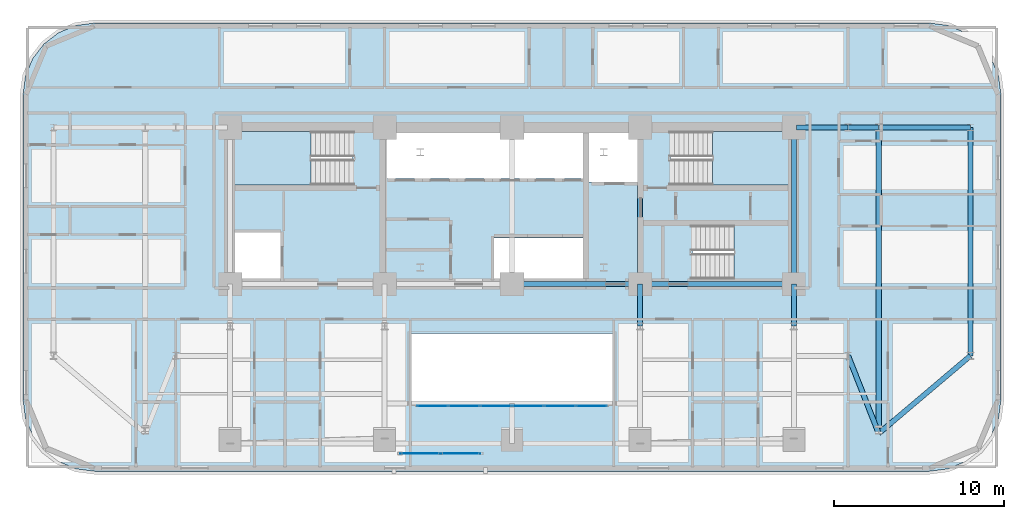
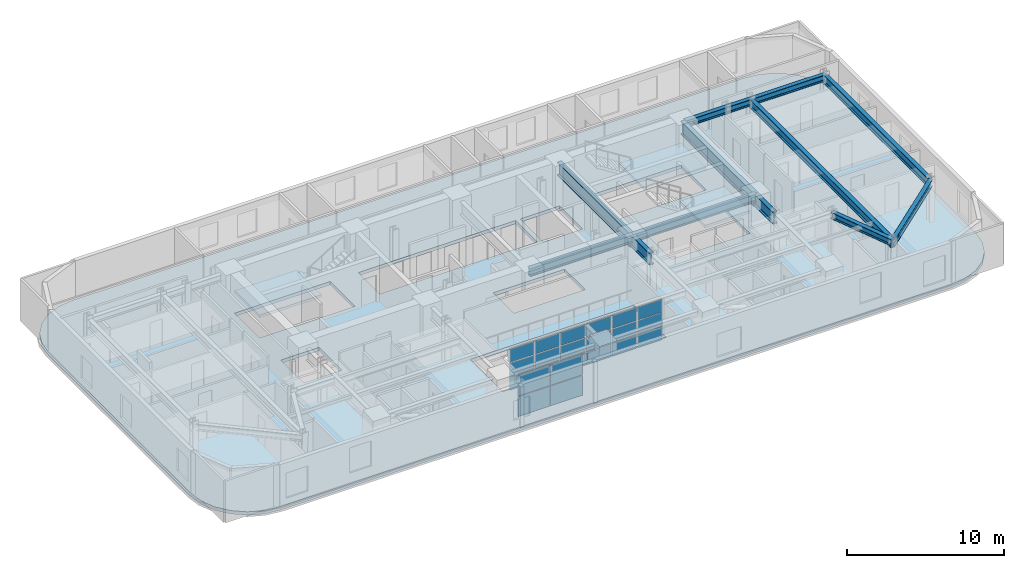
# One storey, part 6 of 16: 22 plates, 13 beams, 4 slabs, 5 elements without a shape of their own.
"""IFC4 building model written with IfcOpenShell, lengths in metres."""

from ifc_helpers import new_model, si_unit, direction, frame, origin, origin_2d, place, context, subcontext, project, spatial, polyline, rectangle, i_section, outline, extrude, material, layer, layer_set, material_profile, profile_set, type_object, element, aggregate, save


model = new_model("IFC4")

# Units and contexts
model_context = context("Model", 3, precision=1e-05, world=origin(), true_north=direction((0.0, 1.0)))
body_context = subcontext(model_context, "Body", "Model", "MODEL_VIEW")
ifc_project = project(units=[si_unit("LENGTHUNIT", "METRE"), si_unit("AREAUNIT", "SQUARE_METRE"), si_unit("VOLUMEUNIT", "CUBIC_METRE"), si_unit("PLANEANGLEUNIT", "RADIAN"), si_unit("MASSUNIT", "GRAM", prefix="KILO")], contexts=[model_context])

# Site, building, storey
site_placement = place(None, origin())
site = spatial("IfcSite", under=ifc_project, at=site_placement, CompositionType="ELEMENT")
building_placement = place(site_placement, origin())
building = spatial("IfcBuilding", under=site, at=building_placement, Name="Zarnavel Station Tower", CompositionType="ELEMENT")
storey_placement = place(building_placement, frame((0.0, 0.0, 82.800048828125)))
storey = spatial("IfcBuildingStorey", under=building, at=storey_placement, Name="L22", CompositionType="ELEMENT", Elevation=82.800048828125)

# Beams
ifc_material_1 = material(Name="Steel S355J2", Category="steel")
ifc_material_profile_1 = material_profile(ifc_material_1, i_section(OverallWidth=0.300048828125, OverallDepth=0.5, WebThickness=0.014404296875, FlangeThickness=0.028076171875, FilletRadius=0.027099609375, at=origin_2d()), Name="HEB500")
ifc_profile_set_1 = profile_set([ifc_material_profile_1], Name="Steel S355J2")
beam_type_1 = type_object("IfcBeamType", Name="FG_HEB500", PredefinedType="USERDEFINED", material=ifc_profile_set_1)
beam_1_placement = place(storey_placement, frame((45.544921875, 37.050048828125, 2.989990234375), z_axis=(1.0, 0.0, 0.0), x_axis=(0.0, 1.0, 0.0)))
element("IfcBeam", 1, at=beam_1_placement, inside=storey, type_object=beam_type_1, Name="L22 East Wing North Tie 1", ObjectType="GIRDER", PredefinedType="USERDEFINED", context=body_context, shape_type="SweptSolid", body=[
    extrude(i_section(OverallWidth=0.300048828125, OverallDepth=0.5, WebThickness=0.014404296875, FlangeThickness=0.028076171875, FilletRadius=0.027099609375, at=origin_2d()), origin(), (0.0, 0.0, 1.0), 3.05517578125),
])
beam_2_placement = place(storey_placement, frame((48.60009765625, 23.60009765625, 2.989990234375), z_axis=(0.366313346961, -0.930491553878, 0.0), x_axis=(0.930491553878, 0.366313346961, 0.0)))
element("IfcBeam", 2, at=beam_2_placement, inside=storey, type_object=beam_type_1, Name="L22 East Wing South Tie 2", ObjectType="GIRDER", PredefinedType="USERDEFINED", context=body_context, shape_type="SweptSolid", body=[
    extrude(i_section(OverallWidth=0.300048828125, OverallDepth=0.5, WebThickness=0.014404296875, FlangeThickness=0.028076171875, FilletRadius=0.027099609375, at=origin_2d()), origin(), (0.0, 0.0, 1.0), 4.913330078125),
])
beam_3_placement = place(storey_placement, frame((48.60009765625, 37.050048828125, 2.989990234375), z_axis=(1.0, 0.0, 0.0), x_axis=(0.0, 1.0, 0.0)))
element("IfcBeam", 3, at=beam_3_placement, inside=storey, type_object=beam_type_1, Name="L22 East Wing North Tie 2", ObjectType="GIRDER", PredefinedType="USERDEFINED", context=body_context, shape_type="SweptSolid", body=[
    extrude(i_section(OverallWidth=0.300048828125, OverallDepth=0.5, WebThickness=0.014404296875, FlangeThickness=0.028076171875, FilletRadius=0.027099609375, at=origin_2d()), origin(), (0.0, 0.0, 1.0), 1.7998046875),
])
beam_4_placement = place(storey_placement, frame((50.39990234375, 19.0283203125, 2.989990234375), z_axis=(0.763217422464, 0.646141753834, 0.0), x_axis=(-0.646141753834, 0.763217422464, 0.0)))
element("IfcBeam", 4, at=beam_4_placement, inside=storey, type_object=beam_type_1, Name="L22 East Wing South Tie 3", ObjectType="GIRDER", PredefinedType="USERDEFINED", context=body_context, shape_type="SweptSolid", body=[
    extrude(i_section(OverallWidth=0.300048828125, OverallDepth=0.5, WebThickness=0.014404296875, FlangeThickness=0.028076171875, FilletRadius=0.027099609375, at=origin_2d()), origin(), (0.0, 0.0, 1.0), 7.075439453125),
])
beam_5_placement = place(storey_placement, frame((50.39990234375, 37.050048828125, 2.989990234375), z_axis=(1.0, 0.0, 0.0), x_axis=(0.0, 1.0, 0.0)))
element("IfcBeam", 5, at=beam_5_placement, inside=storey, type_object=beam_type_1, Name="L22 East Wing North Tie 3", ObjectType="GIRDER", PredefinedType="USERDEFINED", context=body_context, shape_type="SweptSolid", body=[
    extrude(i_section(OverallWidth=0.300048828125, OverallDepth=0.5, WebThickness=0.014404296875, FlangeThickness=0.028076171875, FilletRadius=0.027099609375, at=origin_2d()), origin(), (0.0, 0.0, 1.0), 5.400146484375),
])
ifc_material_2 = material(Name="Steel S355J2", Category="steel")
ifc_material_profile_2 = material_profile(ifc_material_2, i_section(OverallWidth=0.300048828125, OverallDepth=0.60009765625, WebThickness=0.015380859375, FlangeThickness=0.030029296875, FilletRadius=0.027099609375, at=origin_2d()), Name="HEB600")
ifc_profile_set_2 = profile_set([ifc_material_profile_2], Name="Steel S355J2")
beam_type_2 = type_object("IfcBeamType", Name="FG_HEB600", PredefinedType="USERDEFINED", material=ifc_profile_set_2)
beam_6_placement = place(storey_placement, frame((28.800048828125, 27.820068359375, 2.93994140625), z_axis=(1.0, 0.0, 0.0), x_axis=(0.0, 1.0, 0.0)))
element("IfcBeam", 6, at=beam_6_placement, inside=storey, type_object=beam_type_2, Name="L22 Core Front Coupling Beam 3", ObjectType="GIRDER", PredefinedType="USERDEFINED", context=body_context, shape_type="SweptSolid", body=[
    extrude(i_section(OverallWidth=0.300048828125, OverallDepth=0.60009765625, WebThickness=0.015380859375, FlangeThickness=0.030029296875, FilletRadius=0.027099609375, at=origin_2d()), origin(), (0.0, 0.0, 1.0), 7.550048828125),
])
beam_7_placement = place(storey_placement, frame((36.35009765625, 27.820068359375, 2.93994140625), z_axis=(1.0, 0.0, 0.0), x_axis=(0.0, 1.0, 0.0)))
element("IfcBeam", 7, at=beam_7_placement, inside=storey, type_object=beam_type_2, Name="L22 Core Front Coupling Beam 4", ObjectType="GIRDER", PredefinedType="USERDEFINED", context=body_context, shape_type="SweptSolid", body=[
    extrude(i_section(OverallWidth=0.300048828125, OverallDepth=0.60009765625, WebThickness=0.015380859375, FlangeThickness=0.030029296875, FilletRadius=0.027099609375, at=origin_2d()), origin(), (0.0, 0.0, 1.0), 9.0498046875),
])
ifc_material_3 = material(Name="Steel S355J2", Category="steel")
ifc_material_profile_3 = material_profile(ifc_material_3, i_section(OverallWidth=0.300048828125, OverallDepth=0.64990234375, WebThickness=0.01611328125, FlangeThickness=0.031005859375, FilletRadius=0.027099609375, at=origin_2d()), Name="HEB650")
ifc_profile_set_3 = profile_set([ifc_material_profile_3], Name="Steel S355J2")
beam_type_3 = type_object("IfcBeamType", Name="FG_HEB650", PredefinedType="USERDEFINED", material=ifc_profile_set_3)
beam_8_placement = place(storey_placement, frame((50.39990234375, 19.0283203125, 2.9150390625), z_axis=(0.0, 1.0, 0.0), x_axis=(-1.0, 0.0, 0.0)))
element("IfcBeam", 8, at=beam_8_placement, inside=storey, type_object=beam_type_3, Name="L22 Wing NS Girder 3", ObjectType="GIRDER", PredefinedType="USERDEFINED", context=body_context, shape_type="SweptSolid", body=[
    extrude(i_section(OverallWidth=0.300048828125, OverallDepth=0.64990234375, WebThickness=0.01611328125, FlangeThickness=0.031005859375, FilletRadius=0.027099609375, at=origin_2d()), origin(), (0.0, 0.0, 1.0), 18.021728515625),
])
beam_9_placement = place(storey_placement, frame((55.800048828125, 23.60009765625, 2.9150390625), z_axis=(0.0, 1.0, 0.0), x_axis=(-1.0, 0.0, 0.0)))
element("IfcBeam", 9, at=beam_9_placement, inside=storey, type_object=beam_type_3, Name="L22 Wing NS Girder 4", ObjectType="GIRDER", PredefinedType="USERDEFINED", context=body_context, shape_type="SweptSolid", body=[
    extrude(i_section(OverallWidth=0.300048828125, OverallDepth=0.64990234375, WebThickness=0.01611328125, FlangeThickness=0.031005859375, FilletRadius=0.027099609375, at=origin_2d()), origin(), (0.0, 0.0, 1.0), 13.449951171875),
])
ifc_material_4 = material(Name="Steel S460M", Category="steel")
ifc_material_profile_4 = material_profile(ifc_material_4, i_section(OverallWidth=0.302001953125, OverallDepth=1.008056640625, WebThickness=0.02099609375, FlangeThickness=0.0400390625, FilletRadius=0.030029296875, at=origin_2d()), Name="HEM1000")
ifc_profile_set_4 = profile_set([ifc_material_profile_4], Name="Steel S460M")
beam_type_4 = type_object("IfcBeamType", Name="TG_HEM1000", PredefinedType="USERDEFINED", material=ifc_profile_set_4)
for number, where, z_axis, x_axis, name in (
    (10, (36.35009765625, 27.820068359375, 2.73583984375), (0.0, 1.0, 0.0), (-1.0, 0.0, 0.0), "L22 Core Spine Coupling Girder 4"),
    (11, (45.39990234375, 27.820068359375, 2.73583984375), (0.0, 1.0, 0.0), (-1.0, 0.0, 0.0), "L22 Core Spine Coupling Girder 5"),
):
    element("IfcBeam", number, at=place(storey_placement, frame(where, z_axis=z_axis, x_axis=x_axis)), inside=storey, type_object=beam_type_4, Name=name, ObjectType="GIRDER", PredefinedType="USERDEFINED", context=body_context, shape_type="SweptSolid", body=[
        extrude(i_section(OverallWidth=0.302001953125, OverallDepth=1.008056640625, WebThickness=0.02099609375, FlangeThickness=0.0400390625, FilletRadius=0.030029296875, at=origin_2d()), origin(), (0.0, 0.0, 1.0), 9.22998046875),
    ])
ifc_material_5 = material(Name="Steel S460M", Category="steel")
ifc_material_profile_5 = material_profile(ifc_material_5, i_section(OverallWidth=0.302001953125, OverallDepth=0.909912109375, WebThickness=0.02099609375, FlangeThickness=0.0400390625, FilletRadius=0.030029296875, at=origin_2d()), Name="HEM900")
ifc_profile_set_5 = profile_set([ifc_material_profile_5], Name="Steel S460M")
beam_type_5 = type_object("IfcBeamType", Name="TG_HEM900", PredefinedType="USERDEFINED", material=ifc_profile_set_5)
for number, where, z_axis, x_axis, name in (
    (12, (36.35009765625, 25.35009765625, 2.784912109375), (0.0, 1.0, 0.0), (-1.0, 0.0, 0.0), "L22 Inner-Zone NS Girder 4"),
    (13, (45.39990234375, 25.35009765625, 2.784912109375), (0.0, 1.0, 0.0), (-1.0, 0.0, 0.0), "L22 Inner-Zone NS Girder 5"),
):
    element("IfcBeam", number, at=place(storey_placement, frame(where, z_axis=z_axis, x_axis=x_axis)), inside=storey, type_object=beam_type_5, Name=name, ObjectType="GIRDER", PredefinedType="USERDEFINED", context=body_context, shape_type="SweptSolid", body=[
        extrude(i_section(OverallWidth=0.302001953125, OverallDepth=0.909912109375, WebThickness=0.02099609375, FlangeThickness=0.0400390625, FilletRadius=0.030029296875, at=origin_2d()), origin(), (0.0, 0.0, 1.0), 2.469970703125),
    ])

# Curtain wall, plates
ifc_material_6 = material(Name="Aluminium Dark Anodised and Solar-Control Glass", Category="aluminium")
ifc_layer_1 = layer(ifc_material_6, 0.179931640625)
ifc_layer_set_1 = layer_set([ifc_layer_1], Name="CWS3")
curtain_wall_type_1 = type_object("IfcCurtainWallType", Name="CWS3", PredefinedType="NOTDEFINED", material=ifc_layer_set_1)
curtain_wall_1_placement = place(storey_placement, origin())
curtain_wall_1 = element("IfcCurtainWall", 14, at=curtain_wall_1_placement, inside=storey, type_object=curtain_wall_type_1, Name="L22 Curtain Wall CWS3-L22-AS", PredefinedType="NOTDEFINED")
ifc_material_7 = material(Name="Double Low-E Dark Solar-Control Glass", Category="glass")
ifc_layer_2 = layer(ifc_material_7, 0.030029296875)
ifc_layer_set_2 = layer_set([ifc_layer_2], Name="CWS3_PNL")
plate_type_1 = type_object("IfcPlateType", Name="CWS3_PNL", PredefinedType="CURTAIN_PANEL", material=ifc_layer_set_2)
plate_1_placement = place(storey_placement, frame((24.106689453125, 20.64990234375, 0.06005859375), z_axis=(0.0, 0.0, 1.0), x_axis=(1.0, 0.0, 0.0)))
plate_1 = element("IfcPlate", 15, at=plate_1_placement, type_object=plate_type_1, Name="CW3 panel 1.1", PredefinedType="CURTAIN_PANEL", context=body_context, shape_type="SweptSolid", body=[
    extrude(rectangle(XDim=1.793212890625, YDim=0.028076171875, at=origin_2d()), origin(), (0.0, 0.0, 1.0), 0.989990234375),
])
plate_2_placement = place(storey_placement, frame((24.106689453125, 20.64990234375, 1.10986328125), z_axis=(0.0, 0.0, 1.0), x_axis=(1.0, 0.0, 0.0)))
plate_2 = element("IfcPlate", 16, at=plate_2_placement, type_object=plate_type_1, Name="CW3 panel 1.2", PredefinedType="CURTAIN_PANEL", context=body_context, shape_type="SweptSolid", body=[
    extrude(rectangle(XDim=1.793212890625, YDim=0.028076171875, at=origin_2d()), origin(), (0.0, 0.0, 1.0), 1.02001953125),
])
plate_3_placement = place(storey_placement, frame((24.106689453125, 20.64990234375, 2.18994140625), z_axis=(0.0, 0.0, 1.0), x_axis=(1.0, 0.0, 0.0)))
plate_3 = element("IfcPlate", 17, at=plate_3_placement, type_object=plate_type_1, Name="CW3 panel 1.3", PredefinedType="CURTAIN_PANEL", context=body_context, shape_type="SweptSolid", body=[
    extrude(rectangle(XDim=1.793212890625, YDim=0.028076171875, at=origin_2d()), origin(), (0.0, 0.0, 1.0), 0.989990234375),
])
plate_4_placement = place(storey_placement, frame((25.97509765625, 20.64990234375, 0.06005859375), z_axis=(0.0, 0.0, 1.0), x_axis=(1.0, 0.0, 0.0)))
plate_4 = element("IfcPlate", 18, at=plate_4_placement, type_object=plate_type_1, Name="CW3 panel 2.1", PredefinedType="CURTAIN_PANEL", context=body_context, shape_type="SweptSolid", body=[
    extrude(rectangle(XDim=1.8232421875, YDim=0.028076171875, at=origin_2d()), origin(), (0.0, 0.0, 1.0), 0.989990234375),
])
plate_5_placement = place(storey_placement, frame((25.97509765625, 20.64990234375, 1.10986328125), z_axis=(0.0, 0.0, 1.0), x_axis=(1.0, 0.0, 0.0)))
plate_5 = element("IfcPlate", 19, at=plate_5_placement, type_object=plate_type_1, Name="CW3 panel 2.2", PredefinedType="CURTAIN_PANEL", context=body_context, shape_type="SweptSolid", body=[
    extrude(rectangle(XDim=1.8232421875, YDim=0.028076171875, at=origin_2d()), origin(), (0.0, 0.0, 1.0), 1.02001953125),
])
plate_6_placement = place(storey_placement, frame((25.97509765625, 20.64990234375, 2.18994140625), z_axis=(0.0, 0.0, 1.0), x_axis=(1.0, 0.0, 0.0)))
plate_6 = element("IfcPlate", 20, at=plate_6_placement, type_object=plate_type_1, Name="CW3 panel 2.3", PredefinedType="CURTAIN_PANEL", context=body_context, shape_type="SweptSolid", body=[
    extrude(rectangle(XDim=1.8232421875, YDim=0.028076171875, at=origin_2d()), origin(), (0.0, 0.0, 1.0), 0.989990234375),
])
plate_7_placement = place(storey_placement, frame((27.8583984375, 20.64990234375, 0.06005859375), z_axis=(0.0, 0.0, 1.0), x_axis=(1.0, 0.0, 0.0)))
plate_7 = element("IfcPlate", 21, at=plate_7_placement, type_object=plate_type_1, Name="CW3 panel 3.1", PredefinedType="CURTAIN_PANEL", context=body_context, shape_type="SweptSolid", body=[
    extrude(rectangle(XDim=1.8232421875, YDim=0.028076171875, at=origin_2d()), origin(), (0.0, 0.0, 1.0), 0.989990234375),
])
plate_8_placement = place(storey_placement, frame((27.8583984375, 20.64990234375, 1.10986328125), z_axis=(0.0, 0.0, 1.0), x_axis=(1.0, 0.0, 0.0)))
plate_8 = element("IfcPlate", 22, at=plate_8_placement, type_object=plate_type_1, Name="CW3 panel 3.2", PredefinedType="CURTAIN_PANEL", context=body_context, shape_type="SweptSolid", body=[
    extrude(rectangle(XDim=1.8232421875, YDim=0.028076171875, at=origin_2d()), origin(), (0.0, 0.0, 1.0), 1.02001953125),
])
plate_9_placement = place(storey_placement, frame((27.8583984375, 20.64990234375, 2.18994140625), z_axis=(0.0, 0.0, 1.0), x_axis=(1.0, 0.0, 0.0)))
plate_9 = element("IfcPlate", 23, at=plate_9_placement, type_object=plate_type_1, Name="CW3 panel 3.3", PredefinedType="CURTAIN_PANEL", context=body_context, shape_type="SweptSolid", body=[
    extrude(rectangle(XDim=1.8232421875, YDim=0.028076171875, at=origin_2d()), origin(), (0.0, 0.0, 1.0), 0.989990234375),
])
plate_10_placement = place(storey_placement, frame((29.74169921875, 20.64990234375, 0.06005859375), z_axis=(0.0, 0.0, 1.0), x_axis=(1.0, 0.0, 0.0)))
plate_10 = element("IfcPlate", 24, at=plate_10_placement, type_object=plate_type_1, Name="CW3 panel 4.1", PredefinedType="CURTAIN_PANEL", context=body_context, shape_type="SweptSolid", body=[
    extrude(rectangle(XDim=1.8232421875, YDim=0.028076171875, at=origin_2d()), origin(), (0.0, 0.0, 1.0), 0.989990234375),
])
plate_11_placement = place(storey_placement, frame((29.74169921875, 20.64990234375, 1.10986328125), z_axis=(0.0, 0.0, 1.0), x_axis=(1.0, 0.0, 0.0)))
plate_11 = element("IfcPlate", 25, at=plate_11_placement, type_object=plate_type_1, Name="CW3 panel 4.2", PredefinedType="CURTAIN_PANEL", context=body_context, shape_type="SweptSolid", body=[
    extrude(rectangle(XDim=1.8232421875, YDim=0.028076171875, at=origin_2d()), origin(), (0.0, 0.0, 1.0), 1.02001953125),
])
plate_12_placement = place(storey_placement, frame((29.74169921875, 20.64990234375, 2.18994140625), z_axis=(0.0, 0.0, 1.0), x_axis=(1.0, 0.0, 0.0)))
plate_12 = element("IfcPlate", 26, at=plate_12_placement, type_object=plate_type_1, Name="CW3 panel 4.3", PredefinedType="CURTAIN_PANEL", context=body_context, shape_type="SweptSolid", body=[
    extrude(rectangle(XDim=1.8232421875, YDim=0.028076171875, at=origin_2d()), origin(), (0.0, 0.0, 1.0), 0.989990234375),
])
plate_13_placement = place(storey_placement, frame((31.625, 20.64990234375, 0.06005859375), z_axis=(0.0, 0.0, 1.0), x_axis=(1.0, 0.0, 0.0)))
plate_13 = element("IfcPlate", 27, at=plate_13_placement, type_object=plate_type_1, Name="CW3 panel 5.1", PredefinedType="CURTAIN_PANEL", context=body_context, shape_type="SweptSolid", body=[
    extrude(rectangle(XDim=1.8232421875, YDim=0.028076171875, at=origin_2d()), origin(), (0.0, 0.0, 1.0), 0.989990234375),
])
plate_14_placement = place(storey_placement, frame((31.625, 20.64990234375, 1.10986328125), z_axis=(0.0, 0.0, 1.0), x_axis=(1.0, 0.0, 0.0)))
plate_14 = element("IfcPlate", 28, at=plate_14_placement, type_object=plate_type_1, Name="CW3 panel 5.2", PredefinedType="CURTAIN_PANEL", context=body_context, shape_type="SweptSolid", body=[
    extrude(rectangle(XDim=1.8232421875, YDim=0.028076171875, at=origin_2d()), origin(), (0.0, 0.0, 1.0), 1.02001953125),
])
plate_15_placement = place(storey_placement, frame((31.625, 20.64990234375, 2.18994140625), z_axis=(0.0, 0.0, 1.0), x_axis=(1.0, 0.0, 0.0)))
plate_15 = element("IfcPlate", 29, at=plate_15_placement, type_object=plate_type_1, Name="CW3 panel 5.3", PredefinedType="CURTAIN_PANEL", context=body_context, shape_type="SweptSolid", body=[
    extrude(rectangle(XDim=1.8232421875, YDim=0.028076171875, at=origin_2d()), origin(), (0.0, 0.0, 1.0), 0.989990234375),
])
plate_16_placement = place(storey_placement, frame((33.493408203125, 20.64990234375, 0.06005859375), z_axis=(0.0, 0.0, 1.0), x_axis=(1.0, 0.0, 0.0)))
plate_16 = element("IfcPlate", 30, at=plate_16_placement, type_object=plate_type_1, Name="CW3 panel 6.1", PredefinedType="CURTAIN_PANEL", context=body_context, shape_type="SweptSolid", body=[
    extrude(rectangle(XDim=1.793212890625, YDim=0.028076171875, at=origin_2d()), origin(), (0.0, 0.0, 1.0), 0.989990234375),
])
plate_17_placement = place(storey_placement, frame((33.493408203125, 20.64990234375, 1.10986328125), z_axis=(0.0, 0.0, 1.0), x_axis=(1.0, 0.0, 0.0)))
plate_17 = element("IfcPlate", 31, at=plate_17_placement, type_object=plate_type_1, Name="CW3 panel 6.2", PredefinedType="CURTAIN_PANEL", context=body_context, shape_type="SweptSolid", body=[
    extrude(rectangle(XDim=1.793212890625, YDim=0.028076171875, at=origin_2d()), origin(), (0.0, 0.0, 1.0), 1.02001953125),
])
plate_18_placement = place(storey_placement, frame((33.493408203125, 20.64990234375, 2.18994140625), z_axis=(0.0, 0.0, 1.0), x_axis=(1.0, 0.0, 0.0)))
plate_18 = element("IfcPlate", 32, at=plate_18_placement, type_object=plate_type_1, Name="CW3 panel 6.3", PredefinedType="CURTAIN_PANEL", context=body_context, shape_type="SweptSolid", body=[
    extrude(rectangle(XDim=1.793212890625, YDim=0.028076171875, at=origin_2d()), origin(), (0.0, 0.0, 1.0), 0.989990234375),
])
aggregate(curtain_wall_1, [plate_1, plate_2, plate_3, plate_4, plate_5, plate_6, plate_7, plate_8, plate_9, plate_10, plate_11, plate_12, plate_13, plate_14, plate_15, plate_16, plate_17, plate_18])

ifc_material_8 = material(Name="Aluminium Dark Anodised and Solar-Control Glass", Category="aluminium")
ifc_layer_3 = layer(ifc_material_8, 0.179931640625)
ifc_layer_set_3 = layer_set([ifc_layer_3], Name="CWS6")
curtain_wall_type_2 = type_object("IfcCurtainWallType", Name="CWS6", PredefinedType="NOTDEFINED", material=ifc_layer_set_3)
curtain_wall_2_placement = place(storey_placement, origin())
curtain_wall_2 = element("IfcCurtainWall", 33, at=curtain_wall_2_placement, inside=storey, type_object=curtain_wall_type_2, Name="L22 Curtain Wall CWS6-LOG-L22", PredefinedType="NOTDEFINED")
ifc_material_9 = material(Name="Double Low-E Dark Solar-Control Glass", Category="glass")
ifc_layer_4 = layer(ifc_material_9, 0.0380859375)
ifc_layer_set_4 = layer_set([ifc_layer_4], Name="CWS6_PNL")
plate_type_2 = type_object("IfcPlateType", Name="CWS6_PNL", PredefinedType="CURTAIN_PANEL", material=ifc_layer_set_4)
plate_19_placement = place(storey_placement, frame((23.39111328125, 17.85009765625, 0.06005859375), z_axis=(0.0, 0.0, 1.0), x_axis=(1.0, 0.0, 0.0)))
plate_19 = element("IfcPlate", 34, at=plate_19_placement, type_object=plate_type_2, Name="CW6 panel 1.1", PredefinedType="CURTAIN_PANEL", context=body_context, shape_type="SweptSolid", body=[
    extrude(rectangle(XDim=2.325927734375, YDim=0.028076171875, at=origin_2d()), origin(), (0.0, 0.0, 1.0), 1.530029296875),
])
plate_20_placement = place(storey_placement, frame((23.39111328125, 17.85009765625, 1.64990234375), z_axis=(0.0, 0.0, 1.0), x_axis=(1.0, 0.0, 0.0)))
plate_20 = element("IfcPlate", 35, at=plate_20_placement, type_object=plate_type_2, Name="CW6 panel 1.2", PredefinedType="CURTAIN_PANEL", context=body_context, shape_type="SweptSolid", body=[
    extrude(rectangle(XDim=2.325927734375, YDim=0.028076171875, at=origin_2d()), origin(), (0.0, 0.0, 1.0), 1.530029296875),
])
plate_21_placement = place(storey_placement, frame((25.777099609375, 17.85009765625, 0.06005859375), z_axis=(0.0, 0.0, 1.0), x_axis=(1.0, 0.0, 0.0)))
plate_21 = element("IfcPlate", 36, at=plate_21_placement, type_object=plate_type_2, Name="CW6 panel 2.1", PredefinedType="CURTAIN_PANEL", context=body_context, shape_type="SweptSolid", body=[
    extrude(rectangle(XDim=2.325927734375, YDim=0.028076171875, at=origin_2d()), origin(), (0.0, 0.0, 1.0), 1.530029296875),
])
plate_22_placement = place(storey_placement, frame((25.777099609375, 17.85009765625, 1.64990234375), z_axis=(0.0, 0.0, 1.0), x_axis=(1.0, 0.0, 0.0)))
plate_22 = element("IfcPlate", 37, at=plate_22_placement, type_object=plate_type_2, Name="CW6 panel 2.2", PredefinedType="CURTAIN_PANEL", context=body_context, shape_type="SweptSolid", body=[
    extrude(rectangle(XDim=2.325927734375, YDim=0.028076171875, at=origin_2d()), origin(), (0.0, 0.0, 1.0), 1.530029296875),
])
aggregate(curtain_wall_2, [plate_19, plate_20, plate_21, plate_22])

# Slab
ifc_material_10 = material(Name="Concrete C45/55", Category="concrete")
ifc_layer_5 = layer(ifc_material_10, 0.260009765625)
ifc_layer_set_5 = layer_set([ifc_layer_5], Name="SL_FLR_260")
slab_type_1 = type_object("IfcSlabType", Name="SL_FLR_260", PredefinedType="FLOOR", material=ifc_layer_set_5)
slab_1_placement = place(storey_placement, frame((0.0, 0.0, -0.260009765625)))
element("IfcSlab", 38, at=slab_1_placement, inside=storey, type_object=slab_type_1, Name="L22 Structural Floor Slab", PredefinedType="FLOOR", context=body_context, shape_type="SweptSolid", body=[
    extrude(outline(polyline([(53.39990234375, 16.800048828125), (54.487060546875, 16.943115234375), (55.5, 17.36279296875), (56.369873046875, 18.0302734375), (57.037353515625, 18.89990234375), (57.456787109375, 19.9130859375), (57.60009765625, 21.0), (57.60009765625, 39.0), (57.456787109375, 40.0869140625), (57.037353515625, 41.10009765625), (56.369873046875, 41.9697265625), (55.5, 42.63720703125), (54.487060546875, 43.056884765625), (53.39990234375, 43.199951171875), (4.199951171875, 43.199951171875), (3.113037109375, 43.056884765625), (2.10009765625, 42.63720703125), (1.230224609375, 41.9697265625), (0.562744140625, 41.10009765625), (0.14306640625, 40.0869140625), (0.0, 39.0), (0.0, 21.0), (0.14306640625, 19.9130859375), (0.562744140625, 18.89990234375), (1.230224609375, 18.0302734375), (2.10009765625, 17.36279296875), (3.113037109375, 16.943115234375), (4.199951171875, 16.800048828125), (53.39990234375, 16.800048828125)]), holes=[polyline([(12.39990234375, 33.659912109375), (19.409912109375, 33.659912109375), (19.409912109375, 36.820068359375), (12.39990234375, 36.820068359375), (12.39990234375, 33.659912109375)]), polyline([(38.14990234375, 33.659912109375), (45.159912109375, 33.659912109375), (45.159912109375, 36.820068359375), (38.14990234375, 36.820068359375), (38.14990234375, 33.659912109375)]), polyline([(39.419921875, 28.1201171875), (45.14990234375, 28.1201171875), (45.14990234375, 31.280029296875), (39.419921875, 31.280029296875), (39.419921875, 28.1201171875)]), polyline([(12.35009765625, 27.949951171875), (15.14990234375, 27.949951171875), (15.14990234375, 30.85009765625), (12.35009765625, 30.85009765625), (12.35009765625, 27.949951171875)]), polyline([(33.320068359375, 33.85009765625), (36.2099609375, 33.85009765625), (36.2099609375, 36.780029296875), (33.320068359375, 36.780029296875), (33.320068359375, 33.85009765625)]), polyline([(21.449951171875, 34.050048828125), (32.97998046875, 34.050048828125), (32.97998046875, 36.780029296875), (21.449951171875, 36.780029296875), (21.449951171875, 34.050048828125)]), polyline([(27.75, 27.949951171875), (32.97998046875, 27.949951171875), (32.97998046875, 30.550048828125), (27.75, 30.550048828125), (27.75, 27.949951171875)]), polyline([(22.800048828125, 20.800048828125), (34.800048828125, 20.800048828125), (34.800048828125, 24.89990234375), (22.800048828125, 24.89990234375), (22.800048828125, 20.800048828125)])]), origin(), (0.0, 0.0, 1.0), 0.260009765625),
])

# Stair, slab
ifc_material_11 = material(Name="Concrete C45/55", Category="concrete")
stair_type = type_object("IfcStairType", Name="ST_CORE_150", PredefinedType="HALF_TURN_STAIR", material=ifc_material_11)
stair_1_placement = place(storey_placement, origin())
stair_1 = element("IfcStair", 39, at=stair_1_placement, inside=storey, type_object=stair_type, Name="L22 Core Exit Stair ST1", PredefinedType="HALF_TURN_STAIR")
ifc_material_12 = material(Name="Concrete C45/55", Category="concrete")
ifc_layer_6 = layer(ifc_material_12, 0.199951171875)
ifc_layer_set_6 = layer_set([ifc_layer_6], Name="SL_STAIR_LAND_200")
slab_type_2 = type_object("IfcSlabType", Name="SL_STAIR_LAND_200", PredefinedType="LANDING", material=ifc_layer_set_6)
slab_2_placement = place(storey_placement, frame((0.0, 0.0, 1.550048828125)))
slab_2 = element("IfcSlab", 40, at=slab_2_placement, type_object=slab_type_2, Name="ST1 landing 1", PredefinedType="LANDING", context=body_context, shape_type="SweptSolid", body=[
    extrude(outline(polyline([(16.9599609375, 36.820068359375), (12.39990234375, 36.820068359375), (12.39990234375, 33.659912109375), (16.9599609375, 33.659912109375), (16.9599609375, 36.820068359375)])), origin(), (0.0, 0.0, 1.0), 0.199951171875),
])
aggregate(stair_1, [slab_2])

stair_2_placement = place(storey_placement, origin())
stair_2 = element("IfcStair", 41, at=stair_2_placement, inside=storey, type_object=stair_type, Name="L22 Core Exit Stair ST2", PredefinedType="HALF_TURN_STAIR")
slab_3_placement = place(storey_placement, frame((0.0, 0.0, 1.550048828125)))
slab_3 = element("IfcSlab", 42, at=slab_3_placement, type_object=slab_type_2, Name="ST2 landing 1", PredefinedType="LANDING", context=body_context, shape_type="SweptSolid", body=[
    extrude(outline(polyline([(40.60009765625, 33.659912109375), (45.159912109375, 33.659912109375), (45.159912109375, 36.820068359375), (40.60009765625, 36.820068359375), (40.60009765625, 33.659912109375)])), origin(), (0.0, 0.0, 1.0), 0.199951171875),
])
aggregate(stair_2, [slab_3])

stair_3_placement = place(storey_placement, origin())
stair_3 = element("IfcStair", 43, at=stair_3_placement, inside=storey, type_object=stair_type, Name="L22 Core Exit Stair ST3", PredefinedType="HALF_TURN_STAIR")
slab_4_placement = place(storey_placement, frame((0.0, 0.0, 1.550048828125)))
slab_4 = element("IfcSlab", 44, at=slab_4_placement, type_object=slab_type_2, Name="ST3 landing 1", PredefinedType="LANDING", context=body_context, shape_type="SweptSolid", body=[
    extrude(outline(polyline([(41.8701171875, 28.1201171875), (45.14990234375, 28.1201171875), (45.14990234375, 31.280029296875), (41.8701171875, 31.280029296875), (41.8701171875, 28.1201171875)])), origin(), (0.0, 0.0, 1.0), 0.199951171875),
])
aggregate(stair_3, [slab_4])

save(model, "model.ifc")
